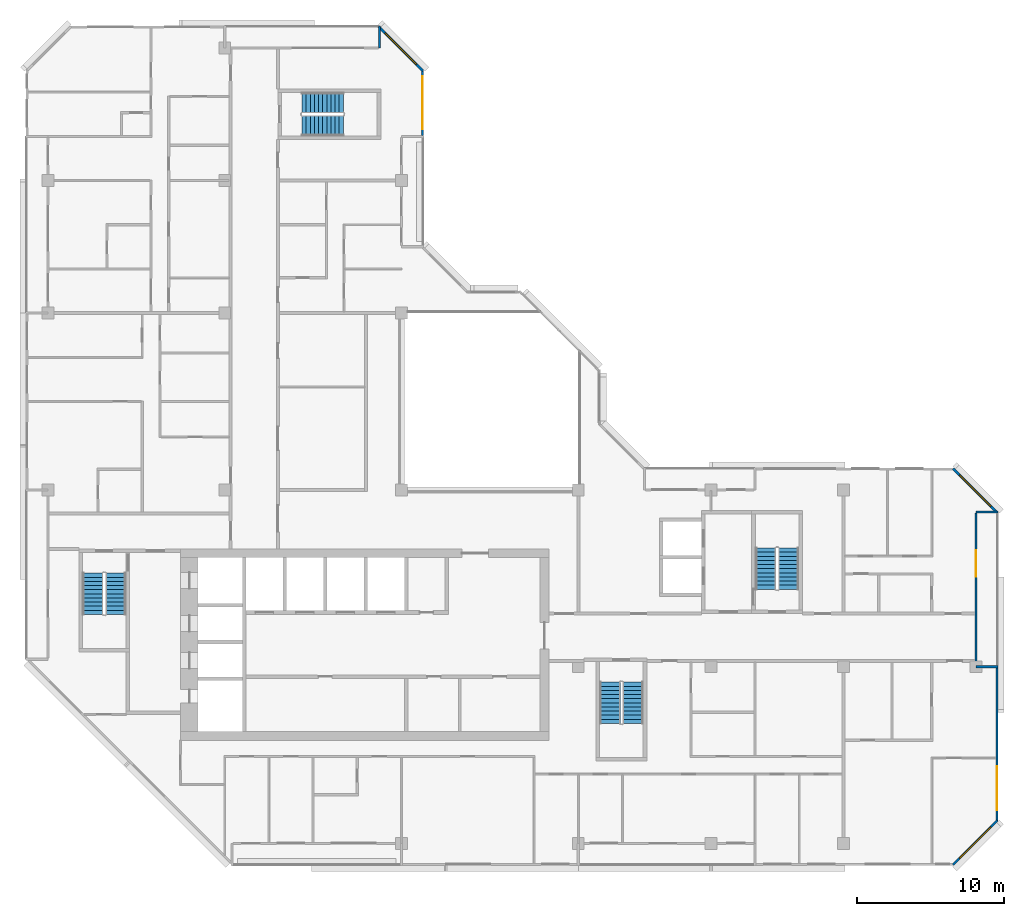
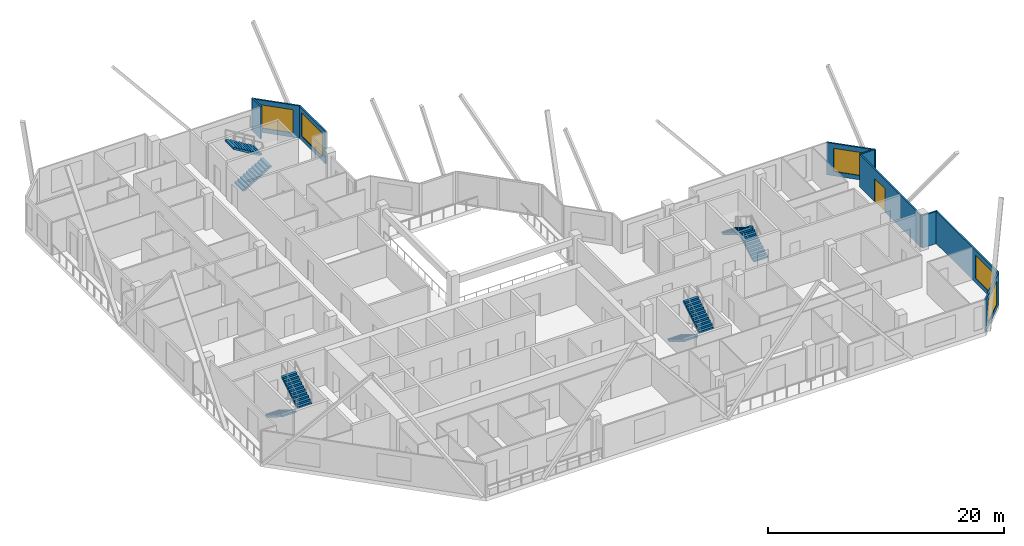
# One storey, part 11 of 13: 9 walls, 8 stair flights, 5 windows, 1 door, 6 openings, 4 elements without a shape of their own.
"""IFC4 building model written with IfcOpenShell, lengths in metres."""

from ifc_helpers import new_model, si_unit, direction, frame, frame_2d, origin, place, context, subcontext, project, spatial, polyline, rectangle, outline, extrude, material, layer, layer_set, type_object, element, fill, aggregate, save


model = new_model("IFC4")

# Units and contexts
model_context = context("Model", 3, precision=1e-05, world=origin(), true_north=direction((0.0, 1.0)))
body_context = subcontext(model_context, "Body", "Model", "MODEL_VIEW")
ifc_project = project(units=[si_unit("LENGTHUNIT", "METRE"), si_unit("AREAUNIT", "SQUARE_METRE"), si_unit("VOLUMEUNIT", "CUBIC_METRE"), si_unit("PLANEANGLEUNIT", "RADIAN"), si_unit("MASSUNIT", "GRAM", prefix="KILO")], contexts=[model_context])

# Site, building, storey
site_placement = place(None, origin())
site = spatial("IfcSite", under=ifc_project, at=site_placement, CompositionType="ELEMENT")
building_placement = place(site_placement, origin())
building = spatial("IfcBuilding", under=site, at=building_placement, Name="Chenar Terraces", CompositionType="ELEMENT")
storey_placement = place(building_placement, frame((0.0, 0.0, 310.89990234375)))
storey = spatial("IfcBuildingStorey", under=building, at=storey_placement, Name="L73", CompositionType="ELEMENT", Elevation=310.89990234375)

# Wall, opening, window
ifc_material_1 = material(Name="Aluminium framed glazing", Category="aluminium")
ifc_layer_1 = layer(ifc_material_1, 0.14990234375)
ifc_layer_set_1 = layer_set([ifc_layer_1], Name="Aluminium framed glazing")
wall_type_1 = type_object("IfcWallType", Name="Glazed flush facade wall 150", PredefinedType="SOLIDWALL", material=ifc_layer_set_1)
wall_1_placement = place(storey_placement, frame((25.425048828125, 48.074951171875, 0.0), z_axis=(0.0, 0.0, 1.0), x_axis=(0.0, 1.0, 0.0)))
wall_1 = element("IfcWall", 1, at=wall_1_placement, inside=storey, type_object=wall_type_1, Name="Glazed flush facade wall", PredefinedType="SOLIDWALL", context=body_context, shape_type="SweptSolid", body=[
    extrude(rectangle(XDim=4.425048828125, YDim=0.14990234375, at=frame_2d((2.21240234375, 0.0))), origin(), (0.0, 0.0, 1.0), 3.35009765625),
])
opening_1_placement = place(wall_1_placement, frame((0.41259765625, 0.0, 0.449951171875)))
opening_1 = element("IfcOpeningElement", 2, at=opening_1_placement, cuts=wall_1, Name="Opening W360x240", PredefinedType="OPENING", context=body_context, shape_type="SweptSolid", body=[
    extrude(rectangle(XDim=3.60009765625, YDim=2.39990234375, at=frame_2d((1.800048828125, 1.199951171875))), frame((0.0, 0.0849609375, 0.0), z_axis=(0.0, -1.0, 0.0), x_axis=(1.0, 0.0, 0.0)), (0.0, 0.0, 1.0), 0.169921875),
])
ifc_material_2 = material(Name="Low emissivity double glazing, aluminium frame", Category="aluminium")
window_type_1 = type_object("IfcWindowType", Name="Fixed light 3600 x 2400", PartitioningType="SINGLE_PANEL", PredefinedType="WINDOW", material=ifc_material_2)
window_1_placement = place(opening_1_placement, origin())
window_1 = element("IfcWindow", 3, at=window_1_placement, inside=storey, type_object=window_type_1, Name="Window", OverallHeight=2.39990234375, OverallWidth=3.60009765625, PartitioningType="SINGLE_PANEL", PredefinedType="WINDOW", context=body_context, shape_type="SweptSolid", body=[
    extrude(rectangle(XDim=3.60009765625, YDim=2.39990234375, at=frame_2d((1.800048828125, 1.199951171875))), frame((0.0, 0.030029296875, 0.0), z_axis=(0.0, -1.0, 0.0), x_axis=(1.0, 0.0, 0.0)), (0.0, 0.0, 1.0), 0.06005859375),
])
fill(opening_1, window_1)

wall_2_placement = place(storey_placement, frame((64.425048828125, 1.5, 0.0), z_axis=(0.0, 0.0, 1.0), x_axis=(0.0, 1.0, 0.0)))
wall_2 = element("IfcWall", 4, at=wall_2_placement, inside=storey, type_object=wall_type_1, Name="Glazed flush facade wall", PredefinedType="SOLIDWALL", context=body_context, shape_type="SweptSolid", body=[
    extrude(rectangle(XDim=10.425048828125, YDim=0.14990234375, at=frame_2d((5.21240234375, 0.0))), origin(), (0.0, 0.0, 1.0), 3.35009765625),
])
opening_2_placement = place(wall_2_placement, frame((0.75, 0.0, 0.449951171875)))
opening_2 = element("IfcOpeningElement", 5, at=opening_2_placement, cuts=wall_2, Name="Opening W300x240", PredefinedType="OPENING", context=body_context, shape_type="SweptSolid", body=[
    extrude(rectangle(XDim=3.0, YDim=2.39990234375, at=frame_2d((1.5, 1.199951171875))), frame((0.0, 0.0849609375, 0.0), z_axis=(0.0, -1.0, 0.0), x_axis=(1.0, 0.0, 0.0)), (0.0, 0.0, 1.0), 0.169921875),
])
ifc_material_3 = material(Name="Low emissivity double glazing, aluminium frame", Category="aluminium")
window_type_2 = type_object("IfcWindowType", Name="Fixed light 3000 x 2400", PartitioningType="SINGLE_PANEL", PredefinedType="WINDOW", material=ifc_material_3)
window_2_placement = place(opening_2_placement, origin())
window_2 = element("IfcWindow", 6, at=window_2_placement, inside=storey, type_object=window_type_2, Name="Window", OverallHeight=2.39990234375, OverallWidth=3.0, PartitioningType="SINGLE_PANEL", PredefinedType="WINDOW", context=body_context, shape_type="SweptSolid", body=[
    extrude(rectangle(XDim=3.0, YDim=2.39990234375, at=frame_2d((1.5, 1.199951171875))), frame((0.0, 0.030029296875, 0.0), z_axis=(0.0, -1.0, 0.0), x_axis=(1.0, 0.0, 0.0)), (0.0, 0.0, 1.0), 0.06005859375),
])
fill(opening_2, window_2)

# Wall, opening, door
ifc_material_4 = material(Name="Aluminium framed glazing", Category="aluminium")
ifc_layer_2 = layer(ifc_material_4, 0.14990234375)
ifc_layer_set_2 = layer_set([ifc_layer_2], Name="Aluminium framed glazing")
wall_type_2 = type_object("IfcWallType", Name="Glazed loggia back wall 150", PredefinedType="SOLIDWALL", material=ifc_layer_set_2)
wall_3_placement = place(storey_placement, frame((63.0, 12.074951171875, 0.0), z_axis=(0.0, 0.0, 1.0), x_axis=(0.0, 1.0, 0.0)))
wall_3 = element("IfcWall", 7, at=wall_3_placement, inside=storey, type_object=wall_type_2, Name="Glazed loggia back wall", PredefinedType="SOLIDWALL", context=body_context, shape_type="SweptSolid", body=[
    extrude(rectangle(XDim=10.35009765625, YDim=0.14990234375, at=frame_2d((5.175048828125, 0.0))), origin(), (0.0, 0.0, 1.0), 3.35009765625),
])
opening_3_placement = place(wall_3_placement, frame((6.03759765625, 0.0, 0.0)))
opening_3 = element("IfcOpeningElement", 8, at=opening_3_placement, cuts=wall_3, Name="Opening DL73-G6", PredefinedType="OPENING", context=body_context, shape_type="SweptSolid", body=[
    extrude(rectangle(XDim=1.800048828125, YDim=2.39990234375, at=frame_2d((0.89990234375, 1.199951171875))), frame((0.0, 0.0849609375, 0.0), z_axis=(0.0, -1.0, 0.0), x_axis=(1.0, 0.0, 0.0)), (0.0, 0.0, 1.0), 0.169921875),
])
ifc_material_5 = material(Name="Low emissivity double glazing, aluminium frame", Category="aluminium")
door_type = type_object("IfcDoorType", Name="Loggia glazed double door 1800 x 2400", OperationType="DOUBLE_DOOR_SINGLE_SWING", PredefinedType="DOOR", material=ifc_material_5)
door_placement = place(opening_3_placement, frame((1.800048828125, 0.0, 0.0), z_axis=(0.0, 0.0, 1.0), x_axis=(-1.0, 0.0, 0.0)))
door = element("IfcDoor", 9, at=door_placement, inside=storey, type_object=door_type, Name="Loggia glazed door", OperationType="DOUBLE_DOOR_SINGLE_SWING", OverallHeight=2.39990234375, OverallWidth=1.800048828125, PredefinedType="DOOR", context=body_context, shape_type="SweptSolid", body=[
    extrude(rectangle(XDim=1.800048828125, YDim=2.39990234375, at=frame_2d((0.89990234375, 1.199951171875))), frame((0.0, 0.02490234375, 0.0), z_axis=(0.0, -1.0, 0.0), x_axis=(1.0, 0.0, 0.0)), (0.0, 0.0, 1.0), 0.050048828125),
])
fill(opening_3, door)

# Walls
ifc_material_6 = material(Name="Terracotta cladding on insulated backing", Category="masonry")
ifc_layer_3 = layer(ifc_material_6, 0.14990234375)
ifc_layer_set_3 = layer_set([ifc_layer_3], Name="Terracotta cladding on insulated backing")
wall_type_3 = type_object("IfcWallType", Name="Loggia return wall 150", PredefinedType="SOLIDWALL", material=ifc_layer_set_3)
for number, where, z_axis, x_axis, name in (
    (10, (22.5, 55.5, 0.0), (0.0, 0.0, 1.0), (0.0, -1.0, 0.0), "Loggia return wall"),
    (11, (64.5, 12.0, 0.0), (0.0, 0.0, 1.0), (-1.0, 0.0, 0.0), "Loggia return wall"),
    (12, (64.5, 22.5, 0.0), (0.0, 0.0, 1.0), (-1.0, 0.0, 0.0), "Loggia return wall"),
):
    element("IfcWall", number, at=place(storey_placement, frame(where, z_axis=z_axis, x_axis=x_axis)), inside=storey, type_object=wall_type_3, Name=name, PredefinedType="SOLIDWALL", context=body_context, shape_type="SweptSolid", body=[
        extrude(rectangle(XDim=1.5, YDim=0.14990234375, at=frame_2d((0.75, 0.0))), origin(), (0.0, 0.0, 1.0), 3.35009765625),
    ])

# Wall, opening, window
ifc_material_7 = material(Name="Terracotta cladding on insulated backing", Category="masonry")
ifc_layer_4 = layer(ifc_material_7, 0.14990234375)
ifc_layer_set_4 = layer_set([ifc_layer_4], Name="Terracotta cladding on insulated backing")
wall_type_4 = type_object("IfcWallType", Name="Terracotta rainscreen wall 150", PredefinedType="SOLIDWALL", material=ifc_layer_set_4)
wall_4_placement = place(storey_placement, frame((25.447021484375, 52.447021484375, 0.0), z_axis=(0.0, 0.0, 1.0), x_axis=(-0.707106781187, 0.707106781187, 0.0)))
wall_4 = element("IfcWall", 13, at=wall_4_placement, inside=storey, type_object=wall_type_4, Name="Terracotta rainscreen wall", PredefinedType="SOLIDWALL", context=body_context, shape_type="SweptSolid", body=[
    extrude(rectangle(XDim=4.24267578125, YDim=0.14990234375, at=frame_2d((2.121337890625, 0.0))), origin(), (0.0, 0.0, 1.0), 3.35009765625),
])
opening_4_placement = place(wall_4_placement, frame((0.621337890625, 0.0, 0.449951171875)))
opening_4 = element("IfcOpeningElement", 14, at=opening_4_placement, cuts=wall_4, Name="Opening W300x240", PredefinedType="OPENING", context=body_context, shape_type="SweptSolid", body=[
    extrude(rectangle(XDim=3.0, YDim=2.39990234375, at=frame_2d((1.5, 1.199951171875))), frame((0.0, 0.0849609375, 0.0), z_axis=(0.0, -1.0, 0.0), x_axis=(1.0, 0.0, 0.0)), (0.0, 0.0, 1.0), 0.169921875),
])
window_3_placement = place(opening_4_placement, origin())
window_3 = element("IfcWindow", 15, at=window_3_placement, inside=storey, type_object=window_type_2, Name="Window", OverallHeight=2.39990234375, OverallWidth=3.0, PartitioningType="SINGLE_PANEL", PredefinedType="WINDOW", context=body_context, shape_type="SweptSolid", body=[
    extrude(rectangle(XDim=3.0, YDim=2.39990234375, at=frame_2d((1.5, 1.199951171875))), frame((0.0, 0.030029296875, 0.0), z_axis=(0.0, -1.0, 0.0), x_axis=(1.0, 0.0, 0.0)), (0.0, 0.0, 1.0), 0.06005859375),
])
fill(opening_4, window_3)

wall_5_placement = place(storey_placement, frame((61.447021484375, -1.447021484375, 0.0), z_axis=(0.0, 0.0, 1.0), x_axis=(0.707106781187, 0.707106781187, 0.0)))
wall_5 = element("IfcWall", 16, at=wall_5_placement, inside=storey, type_object=wall_type_4, Name="Terracotta rainscreen wall", PredefinedType="SOLIDWALL", context=body_context, shape_type="SweptSolid", body=[
    extrude(rectangle(XDim=4.24267578125, YDim=0.14990234375, at=frame_2d((2.121337890625, 0.0))), origin(), (0.0, 0.0, 1.0), 3.35009765625),
])
opening_5_placement = place(wall_5_placement, frame((0.621337890625, 0.0, 0.449951171875)))
opening_5 = element("IfcOpeningElement", 17, at=opening_5_placement, cuts=wall_5, Name="Opening W300x240", PredefinedType="OPENING", context=body_context, shape_type="SweptSolid", body=[
    extrude(rectangle(XDim=3.0, YDim=2.39990234375, at=frame_2d((1.5, 1.199951171875))), frame((0.0, 0.0849609375, 0.0), z_axis=(0.0, -1.0, 0.0), x_axis=(1.0, 0.0, 0.0)), (0.0, 0.0, 1.0), 0.169921875),
])
window_4_placement = place(opening_5_placement, origin())
window_4 = element("IfcWindow", 18, at=window_4_placement, inside=storey, type_object=window_type_2, Name="Window", OverallHeight=2.39990234375, OverallWidth=3.0, PartitioningType="SINGLE_PANEL", PredefinedType="WINDOW", context=body_context, shape_type="SweptSolid", body=[
    extrude(rectangle(XDim=3.0, YDim=2.39990234375, at=frame_2d((1.5, 1.199951171875))), frame((0.0, 0.030029296875, 0.0), z_axis=(0.0, -1.0, 0.0), x_axis=(1.0, 0.0, 0.0)), (0.0, 0.0, 1.0), 0.06005859375),
])
fill(opening_5, window_4)

wall_6_placement = place(storey_placement, frame((64.447021484375, 22.447021484375, 0.0), z_axis=(0.0, 0.0, 1.0), x_axis=(-0.707106781187, 0.707106781187, 0.0)))
wall_6 = element("IfcWall", 19, at=wall_6_placement, inside=storey, type_object=wall_type_4, Name="Terracotta rainscreen wall", PredefinedType="SOLIDWALL", context=body_context, shape_type="SweptSolid", body=[
    extrude(rectangle(XDim=4.24267578125, YDim=0.14990234375, at=frame_2d((2.121337890625, 0.0))), origin(), (0.0, 0.0, 1.0), 3.35009765625),
])
opening_6_placement = place(wall_6_placement, frame((0.621337890625, 0.0, 0.449951171875)))
opening_6 = element("IfcOpeningElement", 20, at=opening_6_placement, cuts=wall_6, Name="Opening W300x240", PredefinedType="OPENING", context=body_context, shape_type="SweptSolid", body=[
    extrude(rectangle(XDim=3.0, YDim=2.39990234375, at=frame_2d((1.5, 1.199951171875))), frame((0.0, 0.0849609375, 0.0), z_axis=(0.0, -1.0, 0.0), x_axis=(1.0, 0.0, 0.0)), (0.0, 0.0, 1.0), 0.169921875),
])
window_5_placement = place(opening_6_placement, origin())
window_5 = element("IfcWindow", 21, at=window_5_placement, inside=storey, type_object=window_type_2, Name="Window", OverallHeight=2.39990234375, OverallWidth=3.0, PartitioningType="SINGLE_PANEL", PredefinedType="WINDOW", context=body_context, shape_type="SweptSolid", body=[
    extrude(rectangle(XDim=3.0, YDim=2.39990234375, at=frame_2d((1.5, 1.199951171875))), frame((0.0, 0.030029296875, 0.0), z_axis=(0.0, -1.0, 0.0), x_axis=(1.0, 0.0, 0.0)), (0.0, 0.0, 1.0), 0.06005859375),
])
fill(opening_6, window_5)

# Stair, stair flights
ifc_material_8 = material(Name="Reinforced concrete C40/50", Category="concrete")
stair_type = type_object("IfcStairType", Name="Core stair 1400 half-turn", PredefinedType="HALF_TURN_STAIR", material=ifc_material_8)
placement = place(storey_placement, origin())
stair_1 = element("IfcStair", 22, at=placement, inside=storey, type_object=stair_type, Name="L73 Stair 1", PredefinedType="HALF_TURN_STAIR")
ifc_material_9 = material(Name="Reinforced concrete C40/50", Category="concrete")
stair_flight_type = type_object("IfcStairFlightType", Name="Core stair flight 1400", PredefinedType="STRAIGHT", material=ifc_material_9)
stair_flight_1_placement = place(storey_placement, frame((3.050048828125, 18.35009765625, 0.0), z_axis=(0.0, 0.0, 1.0), x_axis=(0.0, -1.0, 0.0)))
stair_flight_1 = element("IfcStairFlight", 23, at=stair_flight_1_placement, type_object=stair_flight_type, Name="ST1 flight 1", NumberOfRisers=11, NumberOfTreads=10, PredefinedType="STRAIGHT", RiserHeight=0.170454545, TreadLength=0.28, context=body_context, shape_type="SweptSolid", body=[
    extrude(outline(polyline([(-0.0029296875, 0.0), (-0.0029296875, 0.17041015625), (0.0, 0.17041015625), (0.280029296875, 0.17041015625), (0.280029296875, 0.3408203125), (0.56005859375, 0.3408203125), (0.56005859375, 0.511474609375), (0.840087890625, 0.511474609375), (0.840087890625, 0.681884765625), (1.1201171875, 0.681884765625), (1.1201171875, 0.852294921875), (1.39990234375, 0.852294921875), (1.39990234375, 1.022705078125), (1.679931640625, 1.022705078125), (1.679931640625, 1.193115234375), (1.9599609375, 1.193115234375), (1.9599609375, 1.363525390625), (2.239990234375, 1.363525390625), (2.239990234375, 1.5341796875), (2.52001953125, 1.5341796875), (2.52001953125, 1.70458984375), (2.800048828125, 1.70458984375), (2.802978515625, 1.70458984375), (2.802978515625, 1.529052734375), (2.800048828125, 1.529052734375), (0.288330078125, 0.0), (-0.0029296875, 0.0)])), frame((0.0, 0.699951171875, 0.0), z_axis=(0.0, -1.0, 0.0), x_axis=(1.0, 0.0, 0.0)), (0.0, 0.0, 1.0), 1.39990234375),
])
stair_flight_2_placement = place(storey_placement, frame((4.60009765625, 15.550048828125, 1.875), z_axis=(0.0, 0.0, 1.0), x_axis=(0.0, 1.0, 0.0)))
stair_flight_2 = element("IfcStairFlight", 24, at=stair_flight_2_placement, type_object=stair_flight_type, Name="ST1 flight 2", NumberOfRisers=11, NumberOfTreads=10, PredefinedType="STRAIGHT", RiserHeight=0.170454545, TreadLength=0.28, context=body_context, shape_type="SweptSolid", body=[
    extrude(outline(polyline([(-0.0029296875, 0.0), (-0.0029296875, 0.17041015625), (0.0, 0.17041015625), (0.280029296875, 0.17041015625), (0.280029296875, 0.3408203125), (0.56005859375, 0.3408203125), (0.56005859375, 0.511474609375), (0.840087890625, 0.511474609375), (0.840087890625, 0.681884765625), (1.1201171875, 0.681884765625), (1.1201171875, 0.852294921875), (1.39990234375, 0.852294921875), (1.39990234375, 1.022705078125), (1.679931640625, 1.022705078125), (1.679931640625, 1.193115234375), (1.9599609375, 1.193115234375), (1.9599609375, 1.363525390625), (2.239990234375, 1.363525390625), (2.239990234375, 1.5341796875), (2.52001953125, 1.5341796875), (2.52001953125, 1.70458984375), (2.800048828125, 1.70458984375), (2.802978515625, 1.70458984375), (2.802978515625, 1.529052734375), (2.800048828125, 1.529052734375), (0.288330078125, 0.0), (-0.0029296875, 0.0)])), frame((0.0, 0.699951171875, 0.0), z_axis=(0.0, -1.0, 0.0), x_axis=(1.0, 0.0, 0.0)), (0.0, 0.0, 1.0), 1.39990234375),
])
aggregate(stair_1, [stair_flight_1, stair_flight_2])

stair_2 = element("IfcStair", 25, at=placement, inside=storey, type_object=stair_type, Name="L73 Stair 2", PredefinedType="HALF_TURN_STAIR")
stair_flight_3_placement = place(storey_placement, frame((38.14990234375, 10.949951171875, 0.0), z_axis=(0.0, 0.0, 1.0), x_axis=(0.0, -1.0, 0.0)))
stair_flight_3 = element("IfcStairFlight", 26, at=stair_flight_3_placement, type_object=stair_flight_type, Name="ST2 flight 1", NumberOfRisers=11, NumberOfTreads=10, PredefinedType="STRAIGHT", RiserHeight=0.170454545, TreadLength=0.28, context=body_context, shape_type="SweptSolid", body=[
    extrude(outline(polyline([(-0.0029296875, 0.0), (-0.0029296875, 0.17041015625), (0.0, 0.17041015625), (0.280029296875, 0.17041015625), (0.280029296875, 0.3408203125), (0.56005859375, 0.3408203125), (0.56005859375, 0.511474609375), (0.840087890625, 0.511474609375), (0.840087890625, 0.681884765625), (1.1201171875, 0.681884765625), (1.1201171875, 0.852294921875), (1.39990234375, 0.852294921875), (1.39990234375, 1.022705078125), (1.679931640625, 1.022705078125), (1.679931640625, 1.193115234375), (1.9599609375, 1.193115234375), (1.9599609375, 1.363525390625), (2.239990234375, 1.363525390625), (2.239990234375, 1.5341796875), (2.52001953125, 1.5341796875), (2.52001953125, 1.70458984375), (2.800048828125, 1.70458984375), (2.802978515625, 1.70458984375), (2.802978515625, 1.529052734375), (2.800048828125, 1.529052734375), (0.288330078125, 0.0), (-0.0029296875, 0.0)])), frame((0.0, 0.699951171875, 0.0), z_axis=(0.0, -1.0, 0.0), x_axis=(1.0, 0.0, 0.0)), (0.0, 0.0, 1.0), 1.39990234375),
])
stair_flight_4_placement = place(storey_placement, frame((39.699951171875, 8.14990234375, 1.875), z_axis=(0.0, 0.0, 1.0), x_axis=(0.0, 1.0, 0.0)))
stair_flight_4 = element("IfcStairFlight", 27, at=stair_flight_4_placement, type_object=stair_flight_type, Name="ST2 flight 2", NumberOfRisers=11, NumberOfTreads=10, PredefinedType="STRAIGHT", RiserHeight=0.170454545, TreadLength=0.28, context=body_context, shape_type="SweptSolid", body=[
    extrude(outline(polyline([(-0.0029296875, 0.0), (-0.0029296875, 0.17041015625), (0.0, 0.17041015625), (0.280029296875, 0.17041015625), (0.280029296875, 0.3408203125), (0.56005859375, 0.3408203125), (0.56005859375, 0.511474609375), (0.840087890625, 0.511474609375), (0.840087890625, 0.681884765625), (1.1201171875, 0.681884765625), (1.1201171875, 0.852294921875), (1.39990234375, 0.852294921875), (1.39990234375, 1.022705078125), (1.679931640625, 1.022705078125), (1.679931640625, 1.193115234375), (1.9599609375, 1.193115234375), (1.9599609375, 1.363525390625), (2.239990234375, 1.363525390625), (2.239990234375, 1.5341796875), (2.52001953125, 1.5341796875), (2.52001953125, 1.70458984375), (2.800048828125, 1.70458984375), (2.802978515625, 1.70458984375), (2.802978515625, 1.529052734375), (2.800048828125, 1.529052734375), (0.288330078125, 0.0), (-0.0029296875, 0.0)])), frame((0.0, 0.699951171875, 0.0), z_axis=(0.0, -1.0, 0.0), x_axis=(1.0, 0.0, 0.0)), (0.0, 0.0, 1.0), 1.39990234375),
])
aggregate(stair_2, [stair_flight_3, stair_flight_4])

stair_3 = element("IfcStair", 28, at=placement, inside=storey, type_object=stair_type, Name="L73 Stair 3", PredefinedType="HALF_TURN_STAIR")
stair_flight_5_placement = place(storey_placement, frame((50.27490234375, 17.25, 0.0), z_axis=(0.0, 0.0, 1.0), x_axis=(0.0, 1.0, 0.0)))
stair_flight_5 = element("IfcStairFlight", 29, at=stair_flight_5_placement, type_object=stair_flight_type, Name="ST3 flight 1", NumberOfRisers=11, NumberOfTreads=10, PredefinedType="STRAIGHT", RiserHeight=0.170454545, TreadLength=0.28, context=body_context, shape_type="SweptSolid", body=[
    extrude(outline(polyline([(-0.0029296875, 0.0), (-0.0029296875, 0.17041015625), (0.0, 0.17041015625), (0.280029296875, 0.17041015625), (0.280029296875, 0.3408203125), (0.56005859375, 0.3408203125), (0.56005859375, 0.511474609375), (0.840087890625, 0.511474609375), (0.840087890625, 0.681884765625), (1.1201171875, 0.681884765625), (1.1201171875, 0.852294921875), (1.39990234375, 0.852294921875), (1.39990234375, 1.022705078125), (1.679931640625, 1.022705078125), (1.679931640625, 1.193115234375), (1.9599609375, 1.193115234375), (1.9599609375, 1.363525390625), (2.239990234375, 1.363525390625), (2.239990234375, 1.5341796875), (2.52001953125, 1.5341796875), (2.52001953125, 1.70458984375), (2.800048828125, 1.70458984375), (2.802978515625, 1.70458984375), (2.802978515625, 1.529052734375), (2.800048828125, 1.529052734375), (0.288330078125, 0.0), (-0.0029296875, 0.0)])), frame((0.0, 0.699951171875, 0.0), z_axis=(0.0, -1.0, 0.0), x_axis=(1.0, 0.0, 0.0)), (0.0, 0.0, 1.0), 1.39990234375),
])
stair_flight_6_placement = place(storey_placement, frame((48.72509765625, 20.050048828125, 1.875), z_axis=(0.0, 0.0, 1.0), x_axis=(0.0, -1.0, 0.0)))
stair_flight_6 = element("IfcStairFlight", 30, at=stair_flight_6_placement, type_object=stair_flight_type, Name="ST3 flight 2", NumberOfRisers=11, NumberOfTreads=10, PredefinedType="STRAIGHT", RiserHeight=0.170454545, TreadLength=0.28, context=body_context, shape_type="SweptSolid", body=[
    extrude(outline(polyline([(-0.0029296875, 0.0), (-0.0029296875, 0.17041015625), (0.0, 0.17041015625), (0.280029296875, 0.17041015625), (0.280029296875, 0.3408203125), (0.56005859375, 0.3408203125), (0.56005859375, 0.511474609375), (0.840087890625, 0.511474609375), (0.840087890625, 0.681884765625), (1.1201171875, 0.681884765625), (1.1201171875, 0.852294921875), (1.39990234375, 0.852294921875), (1.39990234375, 1.022705078125), (1.679931640625, 1.022705078125), (1.679931640625, 1.193115234375), (1.9599609375, 1.193115234375), (1.9599609375, 1.363525390625), (2.239990234375, 1.363525390625), (2.239990234375, 1.5341796875), (2.52001953125, 1.5341796875), (2.52001953125, 1.70458984375), (2.800048828125, 1.70458984375), (2.802978515625, 1.70458984375), (2.802978515625, 1.529052734375), (2.800048828125, 1.529052734375), (0.288330078125, 0.0), (-0.0029296875, 0.0)])), frame((0.0, 0.699951171875, 0.0), z_axis=(0.0, -1.0, 0.0), x_axis=(1.0, 0.0, 0.0)), (0.0, 0.0, 1.0), 1.39990234375),
])
aggregate(stair_3, [stair_flight_5, stair_flight_6])

stair_4 = element("IfcStair", 31, at=placement, inside=storey, type_object=stair_type, Name="L73 Stair 4", PredefinedType="HALF_TURN_STAIR")
stair_flight_7_placement = place(storey_placement, frame((17.25, 48.72509765625, 0.0), z_axis=(0.0, 0.0, 1.0), x_axis=(1.0, 0.0, 0.0)))
stair_flight_7 = element("IfcStairFlight", 32, at=stair_flight_7_placement, type_object=stair_flight_type, Name="ST4 flight 1", NumberOfRisers=11, NumberOfTreads=10, PredefinedType="STRAIGHT", RiserHeight=0.170454545, TreadLength=0.28, context=body_context, shape_type="SweptSolid", body=[
    extrude(outline(polyline([(-0.0029296875, 0.0), (-0.0029296875, 0.17041015625), (0.0, 0.17041015625), (0.280029296875, 0.17041015625), (0.280029296875, 0.3408203125), (0.56005859375, 0.3408203125), (0.56005859375, 0.511474609375), (0.840087890625, 0.511474609375), (0.840087890625, 0.681884765625), (1.1201171875, 0.681884765625), (1.1201171875, 0.852294921875), (1.39990234375, 0.852294921875), (1.39990234375, 1.022705078125), (1.679931640625, 1.022705078125), (1.679931640625, 1.193115234375), (1.9599609375, 1.193115234375), (1.9599609375, 1.363525390625), (2.239990234375, 1.363525390625), (2.239990234375, 1.5341796875), (2.52001953125, 1.5341796875), (2.52001953125, 1.70458984375), (2.800048828125, 1.70458984375), (2.802978515625, 1.70458984375), (2.802978515625, 1.529052734375), (2.800048828125, 1.529052734375), (0.288330078125, 0.0), (-0.0029296875, 0.0)])), frame((0.0, 0.699951171875, 0.0), z_axis=(0.0, -1.0, 0.0), x_axis=(1.0, 0.0, 0.0)), (0.0, 0.0, 1.0), 1.39990234375),
])
stair_flight_8_placement = place(storey_placement, frame((20.050048828125, 50.27490234375, 1.875), z_axis=(0.0, 0.0, 1.0), x_axis=(-1.0, 0.0, 0.0)))
stair_flight_8 = element("IfcStairFlight", 33, at=stair_flight_8_placement, type_object=stair_flight_type, Name="ST4 flight 2", NumberOfRisers=11, NumberOfTreads=10, PredefinedType="STRAIGHT", RiserHeight=0.170454545, TreadLength=0.28, context=body_context, shape_type="SweptSolid", body=[
    extrude(outline(polyline([(-0.0029296875, 0.0), (-0.0029296875, 0.17041015625), (0.0, 0.17041015625), (0.280029296875, 0.17041015625), (0.280029296875, 0.3408203125), (0.56005859375, 0.3408203125), (0.56005859375, 0.511474609375), (0.840087890625, 0.511474609375), (0.840087890625, 0.681884765625), (1.1201171875, 0.681884765625), (1.1201171875, 0.852294921875), (1.39990234375, 0.852294921875), (1.39990234375, 1.022705078125), (1.679931640625, 1.022705078125), (1.679931640625, 1.193115234375), (1.9599609375, 1.193115234375), (1.9599609375, 1.363525390625), (2.239990234375, 1.363525390625), (2.239990234375, 1.5341796875), (2.52001953125, 1.5341796875), (2.52001953125, 1.70458984375), (2.800048828125, 1.70458984375), (2.802978515625, 1.70458984375), (2.802978515625, 1.529052734375), (2.800048828125, 1.529052734375), (0.288330078125, 0.0), (-0.0029296875, 0.0)])), frame((0.0, 0.699951171875, 0.0), z_axis=(0.0, -1.0, 0.0), x_axis=(1.0, 0.0, 0.0)), (0.0, 0.0, 1.0), 1.39990234375),
])
aggregate(stair_4, [stair_flight_7, stair_flight_8])

save(model, "model.ifc")
